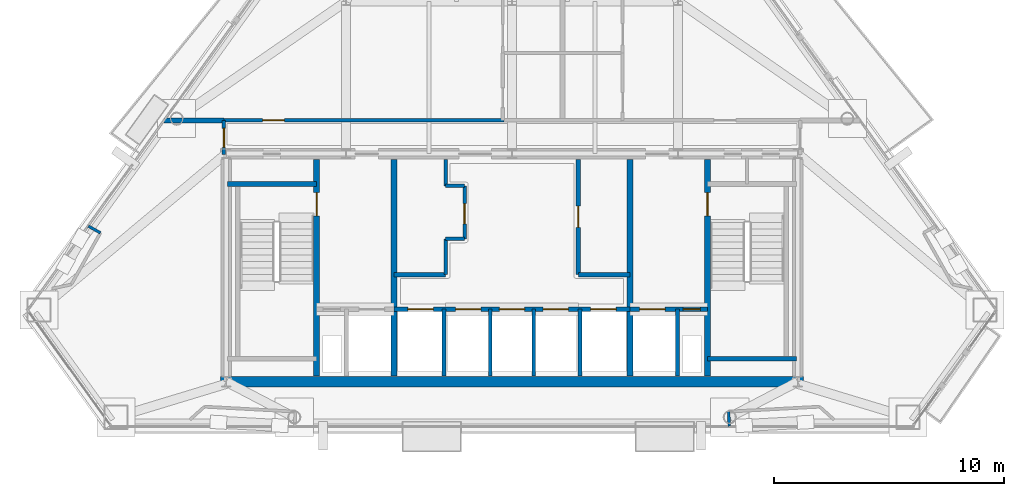
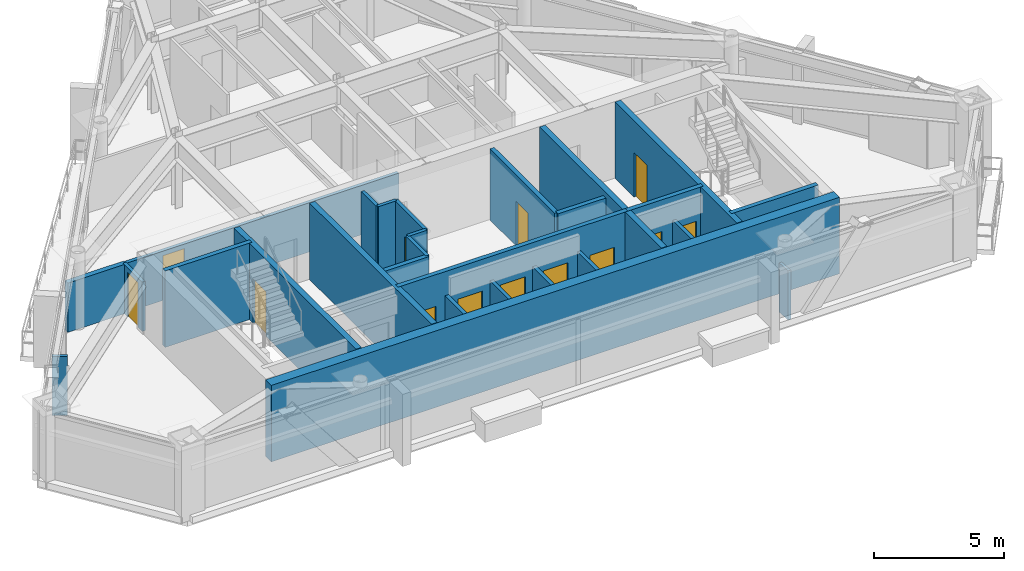
# One storey, part 7 of 11: 27 walls, 13 doors, 13 openings.
"""IFC4 building model written with IfcOpenShell, lengths in metres."""

from ifc_helpers import new_model, si_unit, direction, frame, frame_2d, origin, place, context, subcontext, project, spatial, rectangle, extrude, material, layer, layer_set, type_object, element, fill, save


model = new_model("IFC4")

# Units and contexts
model_context = context("Model", 3, precision=1e-05, world=origin(), true_north=direction((0.0, 1.0)))
body_context = subcontext(model_context, "Body", "Model", "MODEL_VIEW")
ifc_project = project(units=[si_unit("LENGTHUNIT", "METRE"), si_unit("AREAUNIT", "SQUARE_METRE"), si_unit("VOLUMEUNIT", "CUBIC_METRE"), si_unit("PLANEANGLEUNIT", "RADIAN"), si_unit("MASSUNIT", "GRAM", prefix="KILO")], contexts=[model_context])

# Site, building, storey
site_placement = place(None, origin())
site = spatial("IfcSite", under=ifc_project, at=site_placement, CompositionType="ELEMENT")
building_placement = place(site_placement, origin())
building = spatial("IfcBuilding", under=site, at=building_placement, Name="Talgorran Terracotta Tower", CompositionType="ELEMENT")
storey_placement = place(building_placement, frame((0.0, 0.0, 200.10009765625)))
storey = spatial("IfcBuildingStorey", under=building, at=storey_placement, Name="L52", CompositionType="ELEMENT", Elevation=200.10009765625)

# Walls
ifc_material_1 = material(Name="Concrete C50/60", Category="concrete")
ifc_layer_1 = layer(ifc_material_1, 0.199951171875, Name="WT_CORE_200")
ifc_layer_set_1 = layer_set([ifc_layer_1], Name="Concrete C50/60")
wall_type_1 = type_object("IfcWallType", Name="WT_CORE_200", PredefinedType="SOLIDWALL", material=ifc_layer_set_1)
for number, where, z_axis, x_axis, name in (
    (1, (-12.35009765625, -5.52001953125, 0.0), (0.0, 0.0, 1.0), (1.0, 0.0, 0.0), "WL-L52-CW-ST1-N"),
    (2, (8.47998046875, -13.10009765625, 0.0), (0.0, 0.0, 1.0), (1.0, 0.0, 0.0), "WL-L52-CW-ST2-S"),
):
    element("IfcWall", number, at=place(storey_placement, frame(where, z_axis=z_axis, x_axis=x_axis)), inside=storey, type_object=wall_type_1, Name=name, PredefinedType="SOLIDWALL", context=body_context, shape_type="SweptSolid", body=[
        extrude(rectangle(XDim=3.8701171875, YDim=0.199951171875, at=frame_2d((1.93505859375, 0.0))), origin(), (0.0, 0.0, 1.0), 3.599853515625),
    ])

# Wall, openings, doors
wall_1_placement = place(storey_placement, frame((-5.1201171875, -10.949951171875, 0.0), z_axis=(0.0, 0.0, 1.0), x_axis=(1.0, 0.0, 0.0)))
wall_1 = element("IfcWall", 3, at=wall_1_placement, inside=storey, type_object=wall_type_1, Name="WL-L52-CW-H-SBC", PredefinedType="SOLIDWALL", context=body_context, shape_type="SweptSolid", body=[
    extrude(rectangle(XDim=10.240234375, YDim=0.199951171875, at=frame_2d((5.1201171875, 0.0))), origin(), (0.0, 0.0, 1.0), 3.599853515625),
])
opening_1_placement = place(wall_1_placement, frame((0.60009765625, 0.0, 0.0)))
opening_1 = element("IfcOpeningElement", 4, at=opening_1_placement, cuts=wall_1, Name="Opening LD-OB1", PredefinedType="OPENING", context=body_context, shape_type="SweptSolid", body=[
    extrude(rectangle(XDim=1.10609765625, YDim=2.10409765625, at=frame_2d((0.550048828125, 1.052001953125))), frame((0.0, 0.10986328125, 0.0), z_axis=(0.0, -1.0, 0.0), x_axis=(1.0, 0.0, 0.0)), (0.0, 0.0, 1.0), 0.219970703125),
])
opening_2_placement = place(wall_1_placement, frame((2.669921875, 0.0, 0.0)))
opening_2 = element("IfcOpeningElement", 5, at=opening_2_placement, cuts=wall_1, Name="Opening LD-PLH1", PredefinedType="OPENING", context=body_context, shape_type="SweptSolid", body=[
    extrude(rectangle(XDim=1.10609765625, YDim=2.10409765625, at=frame_2d((0.550048828125, 1.052001953125))), frame((0.0, 0.10986328125, 0.0), z_axis=(0.0, -1.0, 0.0), x_axis=(1.0, 0.0, 0.0)), (0.0, 0.0, 1.0), 0.219970703125),
])
opening_3_placement = place(wall_1_placement, frame((4.570068359375, 0.0, 0.0)))
opening_3 = element("IfcOpeningElement", 6, at=opening_3_placement, cuts=wall_1, Name="Opening LD-PLH2", PredefinedType="OPENING", context=body_context, shape_type="SweptSolid", body=[
    extrude(rectangle(XDim=1.10609765625, YDim=2.10409765625, at=frame_2d((0.550048828125, 1.052001953125))), frame((0.0, 0.10986328125, 0.0), z_axis=(0.0, -1.0, 0.0), x_axis=(1.0, 0.0, 0.0)), (0.0, 0.0, 1.0), 0.219970703125),
])
opening_4_placement = place(wall_1_placement, frame((6.469970703125, 0.0, 0.0)))
opening_4 = element("IfcOpeningElement", 7, at=opening_4_placement, cuts=wall_1, Name="Opening LD-PLH3", PredefinedType="OPENING", context=body_context, shape_type="SweptSolid", body=[
    extrude(rectangle(XDim=1.10609765625, YDim=2.10409765625, at=frame_2d((0.550048828125, 1.052001953125))), frame((0.0, 0.10986328125, 0.0), z_axis=(0.0, -1.0, 0.0), x_axis=(1.0, 0.0, 0.0)), (0.0, 0.0, 1.0), 0.219970703125),
])
opening_5_placement = place(wall_1_placement, frame((8.5400390625, 0.0, 0.0)))
opening_5 = element("IfcOpeningElement", 8, at=opening_5_placement, cuts=wall_1, Name="Opening LD-SVL1", PredefinedType="OPENING", context=body_context, shape_type="SweptSolid", body=[
    extrude(rectangle(XDim=1.10609765625, YDim=2.10409765625, at=frame_2d((0.550048828125, 1.052001953125))), frame((0.0, 0.10986328125, 0.0), z_axis=(0.0, -1.0, 0.0), x_axis=(1.0, 0.0, 0.0)), (0.0, 0.0, 1.0), 0.219970703125),
])
ifc_material_2 = material(Name="Brushed Stainless Steel Grade 304", Category="steel")
door_type_1 = type_object("IfcDoorType", Name="DT_LIFT_LD1100", OperationType="DOUBLE_DOOR_SLIDING", PredefinedType="DOOR", material=ifc_material_2)
door_1_placement = place(opening_1_placement, origin())
door_1 = element("IfcDoor", 9, at=door_1_placement, inside=storey, type_object=door_type_1, Name="L52 Lift Landing Door LD-OB1", OperationType="DOUBLE_DOOR_SLIDING", OverallHeight=2.10009765625, OverallWidth=1.10009765625, PredefinedType="DOOR", context=body_context, shape_type="SweptSolid", body=[
    extrude(rectangle(XDim=1.10009765625, YDim=2.10009765625, at=frame_2d((0.550048828125, 1.050048828125))), frame((0.0, 0.02490234375, 0.0), z_axis=(0.0, -1.0, 0.0), x_axis=(1.0, 0.0, 0.0)), (0.0, 0.0, 1.0), 0.050048828125),
])
fill(opening_1, door_1)
door_2_placement = place(opening_2_placement, origin())
door_2 = element("IfcDoor", 10, at=door_2_placement, inside=storey, type_object=door_type_1, Name="L52 Lift Landing Door LD-PLH1", OperationType="DOUBLE_DOOR_SLIDING", OverallHeight=2.10009765625, OverallWidth=1.10009765625, PredefinedType="DOOR", context=body_context, shape_type="SweptSolid", body=[
    extrude(rectangle(XDim=1.10009765625, YDim=2.10009765625, at=frame_2d((0.550048828125, 1.050048828125))), frame((0.0, 0.02490234375, 0.0), z_axis=(0.0, -1.0, 0.0), x_axis=(1.0, 0.0, 0.0)), (0.0, 0.0, 1.0), 0.050048828125),
])
fill(opening_2, door_2)
door_3_placement = place(opening_3_placement, origin())
door_3 = element("IfcDoor", 11, at=door_3_placement, inside=storey, type_object=door_type_1, Name="L52 Lift Landing Door LD-PLH2", OperationType="DOUBLE_DOOR_SLIDING", OverallHeight=2.10009765625, OverallWidth=1.10009765625, PredefinedType="DOOR", context=body_context, shape_type="SweptSolid", body=[
    extrude(rectangle(XDim=1.10009765625, YDim=2.10009765625, at=frame_2d((0.550048828125, 1.050048828125))), frame((0.0, 0.02490234375, 0.0), z_axis=(0.0, -1.0, 0.0), x_axis=(1.0, 0.0, 0.0)), (0.0, 0.0, 1.0), 0.050048828125),
])
fill(opening_3, door_3)
door_4_placement = place(opening_4_placement, origin())
door_4 = element("IfcDoor", 12, at=door_4_placement, inside=storey, type_object=door_type_1, Name="L52 Lift Landing Door LD-PLH3", OperationType="DOUBLE_DOOR_SLIDING", OverallHeight=2.10009765625, OverallWidth=1.10009765625, PredefinedType="DOOR", context=body_context, shape_type="SweptSolid", body=[
    extrude(rectangle(XDim=1.10009765625, YDim=2.10009765625, at=frame_2d((0.550048828125, 1.050048828125))), frame((0.0, 0.02490234375, 0.0), z_axis=(0.0, -1.0, 0.0), x_axis=(1.0, 0.0, 0.0)), (0.0, 0.0, 1.0), 0.050048828125),
])
fill(opening_4, door_4)
door_5_placement = place(opening_5_placement, origin())
door_5 = element("IfcDoor", 13, at=door_5_placement, inside=storey, type_object=door_type_1, Name="L52 Lift Landing Door LD-SVL1", OperationType="DOUBLE_DOOR_SLIDING", OverallHeight=2.10009765625, OverallWidth=1.10009765625, PredefinedType="DOOR", context=body_context, shape_type="SweptSolid", body=[
    extrude(rectangle(XDim=1.10009765625, YDim=2.10009765625, at=frame_2d((0.550048828125, 1.050048828125))), frame((0.0, 0.02490234375, 0.0), z_axis=(0.0, -1.0, 0.0), x_axis=(1.0, 0.0, 0.0)), (0.0, 0.0, 1.0), 0.050048828125),
])
fill(opening_5, door_5)

wall_2_placement = place(storey_placement, frame((5.1201171875, -10.949951171875, 0.0), z_axis=(0.0, 0.0, 1.0), x_axis=(1.0, 0.0, 0.0)))
wall_2 = element("IfcWall", 14, at=wall_2_placement, inside=storey, type_object=wall_type_1, Name="WL-L52-CW-H-SBE", PredefinedType="SOLIDWALL", context=body_context, shape_type="SweptSolid", body=[
    extrude(rectangle(XDim=3.35986328125, YDim=0.199951171875, at=frame_2d((1.679931640625, 0.0))), origin(), (0.0, 0.0, 1.0), 3.599853515625),
])
opening_6_placement = place(wall_2_placement, frame((0.419921875, 0.0, 0.0)))
opening_6 = element("IfcOpeningElement", 15, at=opening_6_placement, cuts=wall_2, Name="Opening LD-FFL2", PredefinedType="OPENING", context=body_context, shape_type="SweptSolid", body=[
    extrude(rectangle(XDim=1.10609765625, YDim=2.10409765625, at=frame_2d((0.550048828125, 1.052001953125))), frame((0.0, 0.10986328125, 0.0), z_axis=(0.0, -1.0, 0.0), x_axis=(1.0, 0.0, 0.0)), (0.0, 0.0, 1.0), 0.219970703125),
])
opening_7_placement = place(wall_2_placement, frame((2.300048828125, 0.0, 0.0)))
opening_7 = element("IfcOpeningElement", 16, at=opening_7_placement, cuts=wall_2, Name="Opening DR-RSE", PredefinedType="OPENING", context=body_context, shape_type="SweptSolid", body=[
    extrude(rectangle(XDim=0.756, YDim=2.054048828125, at=frame_2d((0.375, 1.027099609375))), frame((0.0, 0.10986328125, 0.0), z_axis=(0.0, -1.0, 0.0), x_axis=(1.0, 0.0, 0.0)), (0.0, 0.0, 1.0), 0.219970703125),
])
door_6_placement = place(opening_6_placement, origin())
door_6 = element("IfcDoor", 17, at=door_6_placement, inside=storey, type_object=door_type_1, Name="L52 Lift Landing Door LD-FFL2", OperationType="DOUBLE_DOOR_SLIDING", OverallHeight=2.10009765625, OverallWidth=1.10009765625, PredefinedType="DOOR", context=body_context, shape_type="SweptSolid", body=[
    extrude(rectangle(XDim=1.10009765625, YDim=2.10009765625, at=frame_2d((0.550048828125, 1.050048828125))), frame((0.0, 0.02490234375, 0.0), z_axis=(0.0, -1.0, 0.0), x_axis=(1.0, 0.0, 0.0)), (0.0, 0.0, 1.0), 0.050048828125),
])
fill(opening_6, door_6)
ifc_material_3 = material(Name="Fire-Rated Pressed Steel", Category="steel")
door_type_2 = type_object("IfcDoorType", Name="DT_RISER_750", OperationType="NOTDEFINED", PredefinedType="DOOR", material=ifc_material_3)
door_7_placement = place(opening_7_placement, origin())
door_7 = element("IfcDoor", 18, at=door_7_placement, inside=storey, type_object=door_type_2, Name="DR-RSE", OperationType="SINGLE_SWING_RIGHT", OverallHeight=2.050048828125, OverallWidth=0.75, PredefinedType="DOOR", context=body_context, shape_type="SweptSolid", body=[
    extrude(rectangle(XDim=0.75, YDim=2.050048828125, at=frame_2d((0.375, 1.02490234375))), frame((0.0, 0.02490234375, 0.0), z_axis=(0.0, -1.0, 0.0), x_axis=(1.0, 0.0, 0.0)), (0.0, 0.0, 1.0), 0.050048828125),
])
fill(opening_7, door_7)

# Wall
wall_3_placement = place(storey_placement, frame((-5.1201171875, -9.449951171875, 0.0), z_axis=(0.0, 0.0, 1.0), x_axis=(1.0, 0.0, 0.0)))
element("IfcWall", 19, at=wall_3_placement, inside=storey, type_object=wall_type_1, Name="WL-L52-CW-H-W4", PredefinedType="SOLIDWALL", context=body_context, shape_type="SweptSolid", body=[
    extrude(rectangle(XDim=2.240234375, YDim=0.199951171875, at=frame_2d((1.1201171875, 0.0))), origin(), (0.0, 0.0, 1.0), 3.344970703125),
])

# Wall, opening, door
wall_4_placement = place(storey_placement, frame((2.8798828125, -9.449951171875, 0.0), z_axis=(0.0, 0.0, 1.0), x_axis=(0.0, 1.0, 0.0)))
wall_4 = element("IfcWall", 20, at=wall_4_placement, inside=storey, type_object=wall_type_1, Name="WL-L52-CW-V-E3", PredefinedType="SOLIDWALL", context=body_context, shape_type="SweptSolid", body=[
    extrude(rectangle(XDim=5.0, YDim=0.199951171875, at=frame_2d((2.5, 0.0))), origin(), (0.0, 0.0, 1.0), 3.344970703125),
])
opening_8_placement = place(wall_4_placement, frame((2.050048828125, 0.0, 0.0)))
opening_8 = element("IfcOpeningElement", 21, at=opening_8_placement, cuts=wall_4, Name="Opening DR-FRPLM-A", PredefinedType="OPENING", context=body_context, shape_type="SweptSolid", body=[
    extrude(rectangle(XDim=0.925921875, YDim=2.10409765625, at=frame_2d((0.4599609375, 1.052001953125))), frame((0.0, 0.10986328125, 0.0), z_axis=(0.0, -1.0, 0.0), x_axis=(1.0, 0.0, 0.0)), (0.0, 0.0, 1.0), 0.219970703125),
])
ifc_material_4 = material(Name="Solid-Core Painted Timber", Category="wood")
door_type_3 = type_object("IfcDoorType", Name="DT_INT_920", OperationType="NOTDEFINED", PredefinedType="DOOR", material=ifc_material_4)
door_8_placement = place(opening_8_placement, origin())
door_8 = element("IfcDoor", 22, at=door_8_placement, inside=storey, type_object=door_type_3, Name="DR-FRPLM-A", OperationType="SINGLE_SWING_RIGHT", OverallHeight=2.10009765625, OverallWidth=0.919921875, PredefinedType="DOOR", context=body_context, shape_type="SweptSolid", body=[
    extrude(rectangle(XDim=0.919921875, YDim=2.10009765625, at=frame_2d((0.4599609375, 1.050048828125))), frame((0.0, 0.02490234375, 0.0), z_axis=(0.0, -1.0, 0.0), x_axis=(1.0, 0.0, 0.0)), (0.0, 0.0, 1.0), 0.050048828125),
])
fill(opening_8, door_8)

# Wall
wall_5_placement = place(storey_placement, frame((2.8798828125, -9.449951171875, 0.0), z_axis=(0.0, 0.0, 1.0), x_axis=(1.0, 0.0, 0.0)))
element("IfcWall", 23, at=wall_5_placement, inside=storey, type_object=wall_type_1, Name="WL-L52-CW-H-E4", PredefinedType="SOLIDWALL", context=body_context, shape_type="SweptSolid", body=[
    extrude(rectangle(XDim=2.240234375, YDim=0.199951171875, at=frame_2d((1.1201171875, 0.0))), origin(), (0.0, 0.0, 1.0), 3.344970703125),
])

# Wall, opening, door
ifc_layer_2 = layer(ifc_material_1, 0.25, Name="WT_CORE_250")
ifc_layer_set_2 = layer_set([ifc_layer_2], Name="Concrete C50/60")
wall_type_2 = type_object("IfcWallType", Name="WT_CORE_250", PredefinedType="SHEAR", material=ifc_layer_set_2)
wall_6_placement = place(storey_placement, frame((-8.47998046875, -13.85009765625, 0.0), z_axis=(0.0, 0.0, 1.0), x_axis=(0.0, 1.0, 0.0)))
wall_6 = element("IfcWall", 24, at=wall_6_placement, inside=storey, type_object=wall_type_2, Name="WL-L52-CW-V-W1", PredefinedType="SHEAR", context=body_context, shape_type="SweptSolid", body=[
    extrude(rectangle(XDim=9.400146484375, YDim=0.25, at=frame_2d((4.7001953125, 0.0))), origin(), (0.0, 0.0, 1.0), 3.599853515625),
])
opening_9_placement = place(wall_6_placement, frame((6.949951171875, 0.0, 0.0)))
opening_9 = element("IfcOpeningElement", 25, at=opening_9_placement, cuts=wall_6, Name="Opening DR-ST01", PredefinedType="OPENING", context=body_context, shape_type="SweptSolid", body=[
    extrude(rectangle(XDim=1.006, YDim=2.10409765625, at=frame_2d((0.5, 1.052001953125))), frame((0.0, 0.135009765625, 0.0), z_axis=(0.0, -1.0, 0.0), x_axis=(1.0, 0.0, 0.0)), (0.0, 0.0, 1.0), 0.27001953125),
])
door_type_4 = type_object("IfcDoorType", Name="DT_FIRE_1000", OperationType="NOTDEFINED", PredefinedType="DOOR", material=ifc_material_3)
door_9_placement = place(opening_9_placement, origin())
door_9 = element("IfcDoor", 26, at=door_9_placement, inside=storey, type_object=door_type_4, Name="DR-ST01", OperationType="SINGLE_SWING_LEFT", OverallHeight=2.10009765625, OverallWidth=1.0, PredefinedType="DOOR", context=body_context, shape_type="SweptSolid", body=[
    extrude(rectangle(XDim=1.0, YDim=2.10009765625, at=frame_2d((0.5, 1.050048828125))), frame((0.0, 0.02490234375, 0.0), z_axis=(0.0, -1.0, 0.0), x_axis=(1.0, 0.0, 0.0)), (0.0, 0.0, 1.0), 0.050048828125),
])
fill(opening_9, door_9)

wall_7_placement = place(storey_placement, frame((8.47998046875, -13.85009765625, 0.0), z_axis=(0.0, 0.0, 1.0), x_axis=(0.0, 1.0, 0.0)))
wall_7 = element("IfcWall", 27, at=wall_7_placement, inside=storey, type_object=wall_type_2, Name="WL-L52-CW-V-E1", PredefinedType="SHEAR", context=body_context, shape_type="SweptSolid", body=[
    extrude(rectangle(XDim=9.400146484375, YDim=0.25, at=frame_2d((4.7001953125, 0.0))), origin(), (0.0, 0.0, 1.0), 3.599853515625),
])
opening_10_placement = place(wall_7_placement, frame((6.949951171875, 0.0, 0.0)))
opening_10 = element("IfcOpeningElement", 28, at=opening_10_placement, cuts=wall_7, Name="Opening DR-ST02", PredefinedType="OPENING", context=body_context, shape_type="SweptSolid", body=[
    extrude(rectangle(XDim=1.006, YDim=2.10409765625, at=frame_2d((0.5, 1.052001953125))), frame((0.0, 0.135009765625, 0.0), z_axis=(0.0, -1.0, 0.0), x_axis=(1.0, 0.0, 0.0)), (0.0, 0.0, 1.0), 0.27001953125),
])
door_10_placement = place(opening_10_placement, origin())
door_10 = element("IfcDoor", 29, at=door_10_placement, inside=storey, type_object=door_type_4, Name="DR-ST02", OperationType="SINGLE_SWING_RIGHT", OverallHeight=2.10009765625, OverallWidth=1.0, PredefinedType="DOOR", context=body_context, shape_type="SweptSolid", body=[
    extrude(rectangle(XDim=1.0, YDim=2.10009765625, at=frame_2d((0.5, 1.050048828125))), frame((0.0, 0.02490234375, 0.0), z_axis=(0.0, -1.0, 0.0), x_axis=(1.0, 0.0, 0.0)), (0.0, 0.0, 1.0), 0.050048828125),
])
fill(opening_10, door_10)

# Walls
for number, where, z_axis, x_axis, name in (
    (30, (-5.1201171875, -13.85009765625, 0.0), (0.0, 0.0, 1.0), (0.0, 1.0, 0.0), "WL-L52-CW-V-W2"),
    (31, (5.1201171875, -13.85009765625, 0.0), (0.0, 0.0, 1.0), (0.0, 1.0, 0.0), "WL-L52-CW-V-E2"),
):
    element("IfcWall", number, at=place(storey_placement, frame(where, z_axis=z_axis, x_axis=x_axis)), inside=storey, type_object=wall_type_2, Name=name, PredefinedType="SHEAR", context=body_context, shape_type="SweptSolid", body=[
        extrude(rectangle(XDim=9.400146484375, YDim=0.25, at=frame_2d((4.7001953125, 0.0))), origin(), (0.0, 0.0, 1.0), 3.599853515625),
    ])
ifc_material_5 = material(Name="Concrete C65/80", Category="concrete")
ifc_layer_3 = layer(ifc_material_5, 0.449951171875, Name="WT_CORE_EXT")
ifc_layer_set_3 = layer_set([ifc_layer_3], Name="Concrete C65/80")
wall_type_3 = type_object("IfcWallType", Name="WT_CORE_EXT", PredefinedType="SHEAR", material=ifc_layer_set_3)
wall_8_placement = place(storey_placement, frame((-12.64990234375, -14.10009765625, 0.0), z_axis=(0.0, 0.0, 1.0), x_axis=(1.0, 0.0, 0.0)))
element("IfcWall", 32, at=wall_8_placement, inside=storey, type_object=wall_type_3, Name="WL-L52-CW-OUT-S", PredefinedType="SHEAR", context=body_context, shape_type="SweptSolid", body=[
    extrude(rectangle(XDim=25.2998046875, YDim=0.449951171875, at=frame_2d((12.64990234375, 0.0))), origin(), (0.0, 0.0, 1.0), 3.599853515625),
])
ifc_material_6 = material(Name="Fire-Rated Steel Stud Plasterboard", Category="steel")
ifc_layer_4 = layer(ifc_material_6, 0.14990234375, Name="WT_FIRE_150")
ifc_layer_set_4 = layer_set([ifc_layer_4], Name="Fire-Rated Steel Stud Plasterboard")
wall_type_4 = type_object("IfcWallType", Name="WT_FIRE_150", PredefinedType="PARTITIONING", material=ifc_layer_set_4)
wall_9_placement = place(storey_placement, frame((-2.8798828125, -9.449951171875, 0.0), z_axis=(0.0, 0.0, 1.0), x_axis=(0.0, 1.0, 0.0)))
element("IfcWall", 33, at=wall_9_placement, inside=storey, type_object=wall_type_4, Name="WL-L52-CW-V-W3A", PredefinedType="PARTITIONING", context=body_context, shape_type="SweptSolid", body=[
    extrude(rectangle(XDim=1.550048828125, YDim=0.14990234375, at=frame_2d((0.77490234375, 0.0))), origin(), (0.0, 0.0, 1.0), 3.344970703125),
])
wall_10_placement = place(storey_placement, frame((-2.8798828125, -7.89990234375, 0.0), z_axis=(0.0, 0.0, 1.0), x_axis=(1.0, 0.0, 0.0)))
element("IfcWall", 34, at=wall_10_placement, inside=storey, type_object=wall_type_4, Name="WL-L52-CW-H-W3B", PredefinedType="PARTITIONING", context=body_context, shape_type="SweptSolid", body=[
    extrude(rectangle(XDim=0.81982421875, YDim=0.14990234375, at=frame_2d((0.409912109375, 0.0))), origin(), (0.0, 0.0, 1.0), 3.344970703125),
])

# Wall, opening, door
wall_11_placement = place(storey_placement, frame((-2.06005859375, -7.89990234375, 0.0), z_axis=(0.0, 0.0, 1.0), x_axis=(0.0, 1.0, 0.0)))
wall_11 = element("IfcWall", 35, at=wall_11_placement, inside=storey, type_object=wall_type_4, Name="WL-L52-CW-V-W3C", PredefinedType="PARTITIONING", context=body_context, shape_type="SweptSolid", body=[
    extrude(rectangle(XDim=2.2998046875, YDim=0.14990234375, at=frame_2d((1.14990234375, 0.0))), origin(), (0.0, 0.0, 1.0), 3.344970703125),
])
opening_11_placement = place(wall_11_placement, frame((0.64990234375, 0.0, 0.0)))
opening_11 = element("IfcOpeningElement", 36, at=opening_11_placement, cuts=wall_11, Name="Opening DR-FRPLL-B", PredefinedType="OPENING", context=body_context, shape_type="SweptSolid", body=[
    extrude(rectangle(XDim=0.8858828125, YDim=2.10409765625, at=frame_2d((0.43994140625, 1.052001953125))), frame((0.0, 0.0849609375, 0.0), z_axis=(0.0, -1.0, 0.0), x_axis=(1.0, 0.0, 0.0)), (0.0, 0.0, 1.0), 0.169921875),
])
door_type_5 = type_object("IfcDoorType", Name="DT_INT_880", OperationType="NOTDEFINED", PredefinedType="DOOR", material=ifc_material_4)
door_11_placement = place(opening_11_placement, origin())
door_11 = element("IfcDoor", 37, at=door_11_placement, inside=storey, type_object=door_type_5, Name="DR-FRPLL-B", OperationType="SINGLE_SWING_LEFT", OverallHeight=2.10009765625, OverallWidth=0.8798828125, PredefinedType="DOOR", context=body_context, shape_type="SweptSolid", body=[
    extrude(rectangle(XDim=0.8798828125, YDim=2.10009765625, at=frame_2d((0.43994140625, 1.050048828125))), frame((0.0, 0.02490234375, 0.0), z_axis=(0.0, -1.0, 0.0), x_axis=(1.0, 0.0, 0.0)), (0.0, 0.0, 1.0), 0.050048828125),
])
fill(opening_11, door_11)

# Walls
wall_12_placement = place(storey_placement, frame((-2.8798828125, -5.60009765625, 0.0), z_axis=(0.0, 0.0, 1.0), x_axis=(1.0, 0.0, 0.0)))
element("IfcWall", 38, at=wall_12_placement, inside=storey, type_object=wall_type_4, Name="WL-L52-CW-H-W3D", PredefinedType="PARTITIONING", context=body_context, shape_type="SweptSolid", body=[
    extrude(rectangle(XDim=0.81982421875, YDim=0.14990234375, at=frame_2d((0.409912109375, 0.0))), origin(), (0.0, 0.0, 1.0), 3.344970703125),
])
wall_13_placement = place(storey_placement, frame((-2.8798828125, -5.60009765625, 0.0), z_axis=(0.0, 0.0, 1.0), x_axis=(0.0, 1.0, 0.0)))
element("IfcWall", 39, at=wall_13_placement, inside=storey, type_object=wall_type_4, Name="WL-L52-CW-V-W3E", PredefinedType="PARTITIONING", context=body_context, shape_type="SweptSolid", body=[
    extrude(rectangle(XDim=1.150146484375, YDim=0.14990234375, at=frame_2d((0.5751953125, 0.0))), origin(), (0.0, 0.0, 1.0), 3.344970703125),
])

# Wall, opening, door
wall_14_placement = place(storey_placement, frame((-12.5, -2.760009765625, 0.0), z_axis=(0.0, 0.0, 1.0), x_axis=(1.0, 0.0, 0.0)))
wall_14 = element("IfcWall", 40, at=wall_14_placement, inside=storey, type_object=wall_type_4, Name="WL-L52-W-L52-R04", PredefinedType="PARTITIONING", context=body_context, shape_type="SweptSolid", body=[
    extrude(rectangle(XDim=12.159912109375, YDim=0.14990234375, at=frame_2d((6.080078125, 0.0))), origin(), (0.0, 0.0, 1.0), 2.31982421875),
])
opening_12_placement = place(wall_14_placement, frame((1.67578125, 0.0, 0.0)))
opening_12 = element("IfcOpeningElement", 41, at=opening_12_placement, cuts=wall_14, Name="Opening DR-L52-R05", PredefinedType="OPENING", context=body_context, shape_type="SweptSolid", body=[
    extrude(rectangle(XDim=0.955951171875, YDim=2.10409765625, at=frame_2d((0.47509765625, 1.052001953125))), frame((0.0, 0.0849609375, 0.0), z_axis=(0.0, -1.0, 0.0), x_axis=(1.0, 0.0, 0.0)), (0.0, 0.0, 1.0), 0.169921875),
])
ifc_material_7 = material(Name="Fire-Rated Timber Core", Category="wood")
door_type_6 = type_object("IfcDoorType", Name="DT_FIRE_950", OperationType="NOTDEFINED", PredefinedType="DOOR", material=ifc_material_7)
door_12_placement = place(opening_12_placement, origin())
door_12 = element("IfcDoor", 42, at=door_12_placement, inside=storey, type_object=door_type_6, Name="DR-L52-R05", OperationType="SINGLE_SWING_LEFT", OverallHeight=2.10009765625, OverallWidth=0.949951171875, PredefinedType="DOOR", context=body_context, shape_type="SweptSolid", body=[
    extrude(rectangle(XDim=0.949951171875, YDim=2.10009765625, at=frame_2d((0.47509765625, 1.050048828125))), frame((0.0, 0.02490234375, 0.0), z_axis=(0.0, -1.0, 0.0), x_axis=(1.0, 0.0, 0.0)), (0.0, 0.0, 1.0), 0.050048828125),
])
fill(opening_12, door_12)

wall_15_placement = place(storey_placement, frame((-12.5, -4.239990234375, 0.0), z_axis=(0.0, 0.0, 1.0), x_axis=(0.0, 1.0, 0.0)))
wall_15 = element("IfcWall", 43, at=wall_15_placement, inside=storey, type_object=wall_type_4, Name="WL-L52-W-L52-R01", PredefinedType="PARTITIONING", context=body_context, shape_type="SweptSolid", body=[
    extrude(rectangle(XDim=1.47998046875, YDim=0.14990234375, at=frame_2d((0.739990234375, 0.0))), origin(), (0.0, 0.0, 1.0), 2.31982421875),
])
opening_13_placement = place(wall_15_placement, frame((0.31494140625, 0.0, 0.0)))
opening_13 = element("IfcOpeningElement", 44, at=opening_13_placement, cuts=wall_15, Name="Opening DR-L52-R01", PredefinedType="OPENING", context=body_context, shape_type="SweptSolid", body=[
    extrude(rectangle(XDim=0.826068359375, YDim=2.10409765625, at=frame_2d((0.41015625, 1.052001953125))), frame((0.0, 0.0849609375, 0.0), z_axis=(0.0, -1.0, 0.0), x_axis=(1.0, 0.0, 0.0)), (0.0, 0.0, 1.0), 0.169921875),
])
ifc_material_8 = material(Name="Moisture-Resistant Solid Timber", Category="wood")
door_type_7 = type_object("IfcDoorType", Name="DT_INT_820", OperationType="NOTDEFINED", PredefinedType="DOOR", material=ifc_material_8)
door_13_placement = place(opening_13_placement, origin())
door_13 = element("IfcDoor", 45, at=door_13_placement, inside=storey, type_object=door_type_7, Name="DR-L52-R01", OperationType="SINGLE_SWING_LEFT", OverallHeight=2.10009765625, OverallWidth=0.820068359375, PredefinedType="DOOR", context=body_context, shape_type="SweptSolid", body=[
    extrude(rectangle(XDim=0.820068359375, YDim=2.10009765625, at=frame_2d((0.41015625, 1.050048828125))), frame((0.0, 0.02490234375, 0.0), z_axis=(0.0, -1.0, 0.0), x_axis=(1.0, 0.0, 0.0)), (0.0, 0.0, 1.0), 0.050048828125),
])
fill(opening_13, door_13)

# Walls
ifc_material_9 = material(Name="Acoustic Masonry and Plasterboard", Category="masonry")
ifc_layer_5 = layer(ifc_material_9, 0.219970703125, Name="WT_PARTY_220")
ifc_layer_set_5 = layer_set([ifc_layer_5], Name="Acoustic Masonry and Plasterboard")
wall_type_5 = type_object("IfcWallType", Name="WT_PARTY_220", PredefinedType="PARTITIONING", material=ifc_layer_set_5)
wall_16_placement = place(storey_placement, frame((-15.0947265625, -2.760009765625, 0.0), z_axis=(0.0, 0.0, 1.0), x_axis=(1.0, 0.0, 0.0)))
element("IfcWall", 46, at=wall_16_placement, inside=storey, type_object=wall_type_5, Name="WL-L52-W-L52-R07", PredefinedType="PARTITIONING", context=body_context, shape_type="SweptSolid", body=[
    extrude(rectangle(XDim=2.5947265625, YDim=0.219970703125, at=frame_2d((1.29736328125, 0.0))), origin(), (0.0, 0.0, 1.0), 2.31982421875),
])
ifc_material_10 = material(Name="Insulated Steel Stud Plasterboard", Category="steel")
ifc_layer_6 = layer(ifc_material_10, 0.1201171875, Name="WT_PART_120")
ifc_layer_set_6 = layer_set([ifc_layer_6], Name="Insulated Steel Stud Plasterboard")
wall_type_6 = type_object("IfcWallType", Name="WT_PART_120", PredefinedType="PARTITIONING", material=ifc_layer_set_6)
wall_17_placement = place(storey_placement, frame((9.431884765625, -16.031005859375, 0.0), z_axis=(0.0, 0.0, 1.0), x_axis=(-0.053788890406, 0.99855232976, 0.0)))
element("IfcWall", 47, at=wall_17_placement, inside=storey, type_object=wall_type_6, Name="WL-L52-BW-L52-06", PredefinedType="PARTITIONING", context=body_context, shape_type="SweptSolid", body=[
    extrude(rectangle(XDim=0.635498046875, YDim=0.1201171875, at=frame_2d((0.31787109375, 0.0))), origin(), (0.0, 0.0, 1.0), 2.31982421875),
])
wall_18_placement = place(storey_placement, frame((-18.382080078125, -7.346923828125, 0.0), z_axis=(0.0, 0.0, 1.0), x_axis=(0.870737162202, -0.491748710584, 0.0)))
element("IfcWall", 48, at=wall_18_placement, inside=storey, type_object=wall_type_6, Name="WL-L52-BW-L52-11", PredefinedType="PARTITIONING", context=body_context, shape_type="SweptSolid", body=[
    extrude(rectangle(XDim=0.599853515625, YDim=0.1201171875, at=frame_2d((0.2998046875, 0.0))), origin(), (0.0, 0.0, 1.0), 2.786865234375),
])
ifc_material_11 = material(Name="Fire-Rated Shaftwall")
ifc_layer_7 = layer(ifc_material_11, 0.159912109375, Name="WT_PART_150")
ifc_layer_set_7 = layer_set([ifc_layer_7], Name="Fire-Rated Shaftwall")
wall_type_7 = type_object("IfcWallType", Name="WT_PART_150", PredefinedType="PARTITIONING", material=ifc_layer_set_7)
for number, where, z_axis, x_axis, name in (
    (49, (7.179931640625, -13.85009765625, 0.0), (0.0, 0.0, 1.0), (0.0, 1.0, 0.0), "WL-L52-CW-RSE"),
    (50, (-2.949951171875, -13.85009765625, 0.0), (0.0, 0.0, 1.0), (0.0, 1.0, 0.0), "WL-L52-CW-OB-E"),
    (51, (2.949951171875, -13.85009765625, 0.0), (0.0, 0.0, 1.0), (0.0, 1.0, 0.0), "WL-L52-CW-SV-W"),
    (52, (-0.949951171875, -13.85009765625, 0.0), (0.0, 0.0, 1.0), (0.0, 1.0, 0.0), "WL-L52-CW-PLH-D1"),
    (53, (0.949951171875, -13.85009765625, 0.0), (0.0, 0.0, 1.0), (0.0, 1.0, 0.0), "WL-L52-CW-PLH-D2"),
):
    element("IfcWall", number, at=place(storey_placement, frame(where, z_axis=z_axis, x_axis=x_axis)), inside=storey, type_object=wall_type_7, Name=name, PredefinedType="PARTITIONING", context=body_context, shape_type="SweptSolid", body=[
        extrude(rectangle(XDim=2.900146484375, YDim=0.159912109375, at=frame_2d((1.4501953125, 0.0))), origin(), (0.0, 0.0, 1.0), 2.469970703125),
    ])

save(model, "model.ifc")
